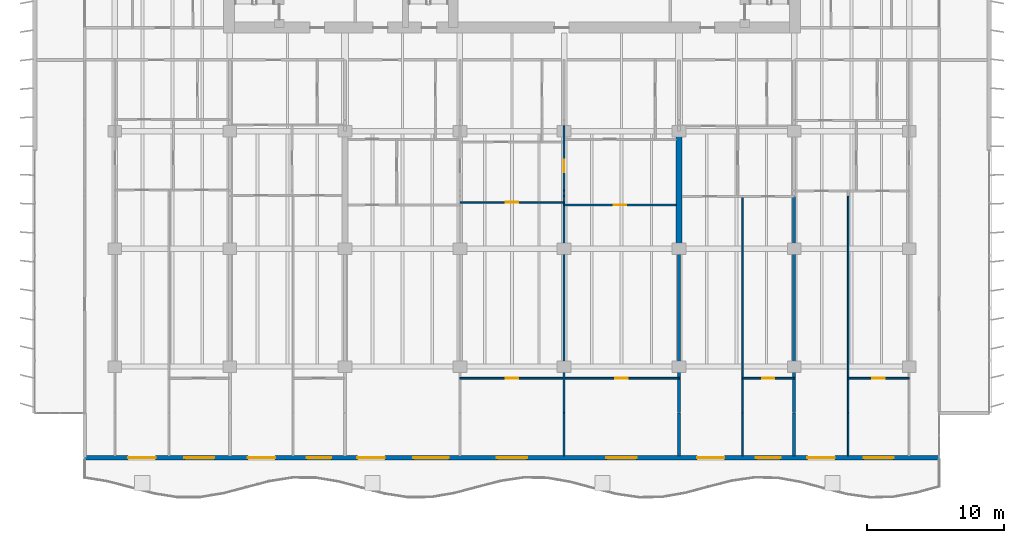
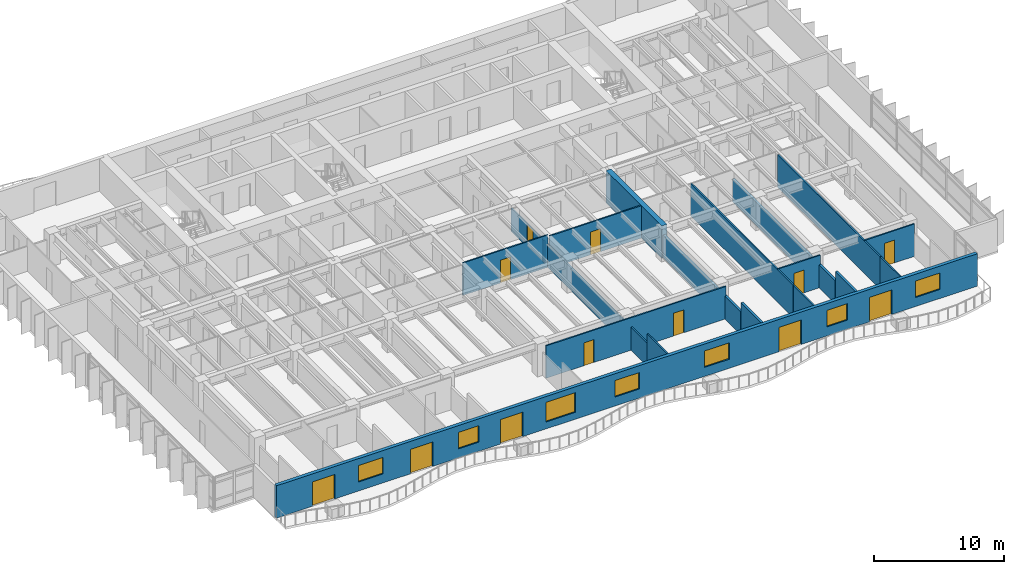
# One storey, part 8 of 17: 19 walls, 12 doors, 7 windows, 19 openings.
"""IFC4 building model written with IfcOpenShell, lengths in metres."""

from ifc_helpers import new_model, si_unit, direction, frame, frame_2d, origin, place, context, subcontext, project, spatial, rectangle, extrude, material, layer, layer_set, type_object, element, fill, save


model = new_model("IFC4")

# Units and contexts
model_context = context("Model", 3, precision=1e-05, world=origin(), true_north=direction((0.0, 1.0)))
body_context = subcontext(model_context, "Body", "Model", "MODEL_VIEW")
ifc_project = project(units=[si_unit("LENGTHUNIT", "METRE"), si_unit("AREAUNIT", "SQUARE_METRE"), si_unit("VOLUMEUNIT", "CUBIC_METRE"), si_unit("PLANEANGLEUNIT", "RADIAN"), si_unit("MASSUNIT", "GRAM", prefix="KILO")], contexts=[model_context])

# Site, building, storey
site_placement = place(None, origin())
site = spatial("IfcSite", under=ifc_project, at=site_placement, CompositionType="ELEMENT")
building_placement = place(site_placement, origin())
building = spatial("IfcBuilding", under=site, at=building_placement, Name="Caelmar Bay Residences", CompositionType="ELEMENT")
storey_placement = place(building_placement, frame((0.0, 0.0, 109.199951171875)))
storey = spatial("IfcBuildingStorey", under=building, at=storey_placement, Name="L29", CompositionType="ELEMENT", Elevation=109.199951171875)

# Wall
ifc_material_1 = material(Name="Concrete f'c 55 MPa (8,000 psi)", Category="concrete")
ifc_layer_1 = layer(ifc_material_1, 0.449951171875)
ifc_layer_set_1 = layer_set([ifc_layer_1], Name="Concrete f'c 55 MPa (8,000 psi)")
wall_type_1 = type_object("IfcWallType", Name="SW-XSLB-450", PredefinedType="SHEAR", material=ifc_layer_set_1)
wall_1_placement = place(storey_placement, frame((51.10009765625, 20.800048828125, 0.0), z_axis=(0.0, 0.0, 1.0), x_axis=(0.0, 1.0, 0.0)))
element("IfcWall", 1, at=wall_1_placement, inside=storey, type_object=wall_type_1, Name="L29 Transverse Cross-Slab Shear Wall E8", PredefinedType="SHEAR", context=body_context, shape_type="SweptSolid", body=[
    extrude(rectangle(XDim=8.599853515625, YDim=0.449951171875, at=frame_2d((4.2998046875, 0.0))), origin(), (0.0, 0.0, 1.0), 3.050048828125),
])

# Wall, openings, doors, windows
ifc_material_2 = material(Name="Precast concrete f'c 40 MPa (6,000 psi)", Category="concrete")
ifc_layer_2 = layer(ifc_material_2, 0.300048828125)
ifc_layer_set_2 = layer_set([ifc_layer_2], Name="Precast concrete f'c 40 MPa (6,000 psi)")
wall_type_2 = type_object("IfcWallType", Name="W-EXT-300", PredefinedType="STANDARD", material=ifc_layer_set_2)
wall_2_placement = place(storey_placement, frame((70.10009765625, 5.550048828125, 0.0), z_axis=(0.0, 0.0, 1.0), x_axis=(-1.0, 0.0, 0.0)))
wall_2 = element("IfcWall", 2, at=wall_2_placement, inside=storey, type_object=wall_type_2, Name="L29 South Bayfront Exterior Wall", PredefinedType="STANDARD", context=body_context, shape_type="SweptSolid", body=[
    extrude(rectangle(XDim=62.400146484375, YDim=0.300048828125, at=frame_2d((31.2001953125, 0.0))), origin(), (0.0, 0.0, 1.0), 3.050048828125),
])
opening_1_placement = place(wall_2_placement, frame((57.22607421875, 0.0, 0.0)))
opening_1 = element("IfcOpeningElement", 3, at=opening_1_placement, cuts=wall_2, Name="Opening L29-BD01", PredefinedType="OPENING", context=body_context, shape_type="SweptSolid", body=[
    extrude(rectangle(XDim=2.0, YDim=2.300048828125, at=frame_2d((1.0, 1.14990234375))), frame((0.0, 0.159912109375, 0.0), z_axis=(0.0, -1.0, 0.0), x_axis=(1.0, 0.0, 0.0)), (0.0, 0.0, 1.0), 0.320068359375),
])
opening_2_placement = place(wall_2_placement, frame((52.926025390625, 0.0, 0.85009765625)))
opening_2 = element("IfcOpeningElement", 4, at=opening_2_placement, cuts=wall_2, Name="Opening WN2", PredefinedType="OPENING", context=body_context, shape_type="SweptSolid", body=[
    extrude(rectangle(XDim=2.199951171875, YDim=1.550048828125, at=frame_2d((1.10009765625, 0.77490234375))), frame((0.0, 0.159912109375, 0.0), z_axis=(0.0, -1.0, 0.0), x_axis=(1.0, 0.0, 0.0)), (0.0, 0.0, 1.0), 0.320068359375),
])
opening_3_placement = place(wall_2_placement, frame((48.489990234375, 0.0, 0.0)))
opening_3 = element("IfcOpeningElement", 5, at=opening_3_placement, cuts=wall_2, Name="Opening L29-BD02", PredefinedType="OPENING", context=body_context, shape_type="SweptSolid", body=[
    extrude(rectangle(XDim=2.0, YDim=2.300048828125, at=frame_2d((1.0, 1.14990234375))), frame((0.0, 0.159912109375, 0.0), z_axis=(0.0, -1.0, 0.0), x_axis=(1.0, 0.0, 0.0)), (0.0, 0.0, 1.0), 0.320068359375),
])
opening_4_placement = place(wall_2_placement, frame((44.389892578125, 0.0, 0.85009765625)))
opening_4 = element("IfcOpeningElement", 6, at=opening_4_placement, cuts=wall_2, Name="Opening WN1", PredefinedType="OPENING", context=body_context, shape_type="SweptSolid", body=[
    extrude(rectangle(XDim=1.800048828125, YDim=1.550048828125, at=frame_2d((0.89990234375, 0.77490234375))), frame((0.0, 0.159912109375, 0.0), z_axis=(0.0, -1.0, 0.0), x_axis=(1.0, 0.0, 0.0)), (0.0, 0.0, 1.0), 0.320068359375),
])
opening_5_placement = place(wall_2_placement, frame((40.489990234375, 0.0, 0.0)))
opening_5 = element("IfcOpeningElement", 7, at=opening_5_placement, cuts=wall_2, Name="Opening L29-BD03", PredefinedType="OPENING", context=body_context, shape_type="SweptSolid", body=[
    extrude(rectangle(XDim=2.0, YDim=2.300048828125, at=frame_2d((1.0, 1.14990234375))), frame((0.0, 0.159912109375, 0.0), z_axis=(0.0, -1.0, 0.0), x_axis=(1.0, 0.0, 0.0)), (0.0, 0.0, 1.0), 0.320068359375),
])
opening_6_placement = place(wall_2_placement, frame((35.81005859375, 0.0, 0.64990234375)))
opening_6 = element("IfcOpeningElement", 8, at=opening_6_placement, cuts=wall_2, Name="Opening WN3", PredefinedType="OPENING", context=body_context, shape_type="SweptSolid", body=[
    extrude(rectangle(XDim=2.60009765625, YDim=1.85009765625, at=frame_2d((1.300048828125, 0.925048828125))), frame((0.0, 0.159912109375, 0.0), z_axis=(0.0, -1.0, 0.0), x_axis=(1.0, 0.0, 0.0)), (0.0, 0.0, 1.0), 0.320068359375),
])
opening_7_placement = place(wall_2_placement, frame((30.10009765625, 0.0, 0.85009765625)))
opening_7 = element("IfcOpeningElement", 9, at=opening_7_placement, cuts=wall_2, Name="Opening WN2", PredefinedType="OPENING", context=body_context, shape_type="SweptSolid", body=[
    extrude(rectangle(XDim=2.199951171875, YDim=1.550048828125, at=frame_2d((1.10009765625, 0.77490234375))), frame((0.0, 0.159912109375, 0.0), z_axis=(0.0, -1.0, 0.0), x_axis=(1.0, 0.0, 0.0)), (0.0, 0.0, 1.0), 0.320068359375),
])
opening_8_placement = place(wall_2_placement, frame((22.10009765625, 0.0, 0.85009765625)))
opening_8 = element("IfcOpeningElement", 10, at=opening_8_placement, cuts=wall_2, Name="Opening WN2", PredefinedType="OPENING", context=body_context, shape_type="SweptSolid", body=[
    extrude(rectangle(XDim=2.199951171875, YDim=1.550048828125, at=frame_2d((1.10009765625, 0.77490234375))), frame((0.0, 0.159912109375, 0.0), z_axis=(0.0, -1.0, 0.0), x_axis=(1.0, 0.0, 0.0)), (0.0, 0.0, 1.0), 0.320068359375),
])
opening_9_placement = place(wall_2_placement, frame((15.68994140625, 0.0, 0.0)))
opening_9 = element("IfcOpeningElement", 11, at=opening_9_placement, cuts=wall_2, Name="Opening L29-BD04", PredefinedType="OPENING", context=body_context, shape_type="SweptSolid", body=[
    extrude(rectangle(XDim=2.0, YDim=2.300048828125, at=frame_2d((1.0, 1.14990234375))), frame((0.0, 0.159912109375, 0.0), z_axis=(0.0, -1.0, 0.0), x_axis=(1.0, 0.0, 0.0)), (0.0, 0.0, 1.0), 0.320068359375),
])
opening_10_placement = place(wall_2_placement, frame((11.590087890625, 0.0, 0.85009765625)))
opening_10 = element("IfcOpeningElement", 12, at=opening_10_placement, cuts=wall_2, Name="Opening WN1", PredefinedType="OPENING", context=body_context, shape_type="SweptSolid", body=[
    extrude(rectangle(XDim=1.800048828125, YDim=1.550048828125, at=frame_2d((0.89990234375, 0.77490234375))), frame((0.0, 0.159912109375, 0.0), z_axis=(0.0, -1.0, 0.0), x_axis=(1.0, 0.0, 0.0)), (0.0, 0.0, 1.0), 0.320068359375),
])
opening_11_placement = place(wall_2_placement, frame((7.6259765625, 0.0, 0.0)))
opening_11 = element("IfcOpeningElement", 13, at=opening_11_placement, cuts=wall_2, Name="Opening L29-BD05", PredefinedType="OPENING", context=body_context, shape_type="SweptSolid", body=[
    extrude(rectangle(XDim=2.0, YDim=2.300048828125, at=frame_2d((1.0, 1.14990234375))), frame((0.0, 0.159912109375, 0.0), z_axis=(0.0, -1.0, 0.0), x_axis=(1.0, 0.0, 0.0)), (0.0, 0.0, 1.0), 0.320068359375),
])
opening_12_placement = place(wall_2_placement, frame((3.325927734375, 0.0, 0.85009765625)))
opening_12 = element("IfcOpeningElement", 14, at=opening_12_placement, cuts=wall_2, Name="Opening WN2", PredefinedType="OPENING", context=body_context, shape_type="SweptSolid", body=[
    extrude(rectangle(XDim=2.199951171875, YDim=1.550048828125, at=frame_2d((1.10009765625, 0.77490234375))), frame((0.0, 0.159912109375, 0.0), z_axis=(0.0, -1.0, 0.0), x_axis=(1.0, 0.0, 0.0)), (0.0, 0.0, 1.0), 0.320068359375),
])
ifc_material_3 = material(Name="Anodised bronze thermally broken sliding glass door", Category="glass")
ifc_layer_3 = layer(ifc_material_3, 0.050048828125)
ifc_layer_set_3 = layer_set([ifc_layer_3], Name="Anodised bronze thermally broken sliding glass door")
door_type_1 = type_object("IfcDoorType", Name="D-BAL-2000", OperationType="DOUBLE_DOOR_SLIDING", PredefinedType="DOOR", material=ifc_layer_set_3)
door_1_placement = place(opening_1_placement, origin())
door_1 = element("IfcDoor", 15, at=door_1_placement, inside=storey, type_object=door_type_1, Name="L29 Residence 01 Penthouse Living Salon Balcony Door", OperationType="DOUBLE_DOOR_SLIDING", OverallHeight=2.300048828125, OverallWidth=2.0, PredefinedType="DOOR", context=body_context, shape_type="SweptSolid", body=[
    extrude(rectangle(XDim=2.0, YDim=2.300048828125, at=frame_2d((1.0, 1.14990234375))), frame((0.0, 0.02490234375, 0.0), z_axis=(0.0, -1.0, 0.0), x_axis=(1.0, 0.0, 0.0)), (0.0, 0.0, 1.0), 0.050048828125),
])
fill(opening_1, door_1)
door_2_placement = place(opening_3_placement, origin())
door_2 = element("IfcDoor", 16, at=door_2_placement, inside=storey, type_object=door_type_1, Name="L29 Residence 02 Penthouse Living Salon Balcony Door", OperationType="DOUBLE_DOOR_SLIDING", OverallHeight=2.300048828125, OverallWidth=2.0, PredefinedType="DOOR", context=body_context, shape_type="SweptSolid", body=[
    extrude(rectangle(XDim=2.0, YDim=2.300048828125, at=frame_2d((1.0, 1.14990234375))), frame((0.0, 0.02490234375, 0.0), z_axis=(0.0, -1.0, 0.0), x_axis=(1.0, 0.0, 0.0)), (0.0, 0.0, 1.0), 0.050048828125),
])
fill(opening_3, door_2)
door_3_placement = place(opening_5_placement, origin())
door_3 = element("IfcDoor", 17, at=door_3_placement, inside=storey, type_object=door_type_1, Name="L29 Residence 03 Penthouse Living Salon Balcony Door", OperationType="DOUBLE_DOOR_SLIDING", OverallHeight=2.300048828125, OverallWidth=2.0, PredefinedType="DOOR", context=body_context, shape_type="SweptSolid", body=[
    extrude(rectangle(XDim=2.0, YDim=2.300048828125, at=frame_2d((1.0, 1.14990234375))), frame((0.0, 0.02490234375, 0.0), z_axis=(0.0, -1.0, 0.0), x_axis=(1.0, 0.0, 0.0)), (0.0, 0.0, 1.0), 0.050048828125),
])
fill(opening_5, door_3)
door_4_placement = place(opening_9_placement, origin())
door_4 = element("IfcDoor", 18, at=door_4_placement, inside=storey, type_object=door_type_1, Name="L29 Residence 04 Penthouse Living Salon Balcony Door", OperationType="DOUBLE_DOOR_SLIDING", OverallHeight=2.300048828125, OverallWidth=2.0, PredefinedType="DOOR", context=body_context, shape_type="SweptSolid", body=[
    extrude(rectangle(XDim=2.0, YDim=2.300048828125, at=frame_2d((1.0, 1.14990234375))), frame((0.0, 0.02490234375, 0.0), z_axis=(0.0, -1.0, 0.0), x_axis=(1.0, 0.0, 0.0)), (0.0, 0.0, 1.0), 0.050048828125),
])
fill(opening_9, door_4)
door_5_placement = place(opening_11_placement, origin())
door_5 = element("IfcDoor", 19, at=door_5_placement, inside=storey, type_object=door_type_1, Name="L29 Residence 05 Penthouse Living Salon Balcony Door", OperationType="DOUBLE_DOOR_SLIDING", OverallHeight=2.300048828125, OverallWidth=2.0, PredefinedType="DOOR", context=body_context, shape_type="SweptSolid", body=[
    extrude(rectangle(XDim=2.0, YDim=2.300048828125, at=frame_2d((1.0, 1.14990234375))), frame((0.0, 0.02490234375, 0.0), z_axis=(0.0, -1.0, 0.0), x_axis=(1.0, 0.0, 0.0)), (0.0, 0.0, 1.0), 0.050048828125),
])
fill(opening_11, door_5)
ifc_material_4 = material(Name="Bronze aluminium frame with laminated low-E glass", Category="aluminium")
ifc_layer_4 = layer(ifc_material_4, 0.06005859375)
ifc_layer_set_4 = layer_set([ifc_layer_4], Name="Bronze aluminium frame with laminated low-E glass")
window_type_1 = type_object("IfcWindowType", Name="WIN-BR-1800", PartitioningType="SINGLE_PANEL", PredefinedType="WINDOW", material=ifc_layer_set_4)
window_1_placement = place(opening_4_placement, origin())
window_1 = element("IfcWindow", 20, at=window_1_placement, inside=storey, type_object=window_type_1, Name="L29 Residence 02 Primary Bedroom Window", OverallHeight=1.550048828125, OverallWidth=1.800048828125, PartitioningType="SINGLE_PANEL", PredefinedType="WINDOW", context=body_context, shape_type="SweptSolid", body=[
    extrude(rectangle(XDim=1.800048828125, YDim=1.550048828125, at=frame_2d((0.89990234375, 0.77490234375))), frame((0.0, 0.030029296875, 0.0), z_axis=(0.0, -1.0, 0.0), x_axis=(1.0, 0.0, 0.0)), (0.0, 0.0, 1.0), 0.06005859375),
])
fill(opening_4, window_1)
window_2_placement = place(opening_10_placement, origin())
window_2 = element("IfcWindow", 21, at=window_2_placement, inside=storey, type_object=window_type_1, Name="L29 Residence 04 Primary Bedroom Window", OverallHeight=1.550048828125, OverallWidth=1.800048828125, PartitioningType="SINGLE_PANEL", PredefinedType="WINDOW", context=body_context, shape_type="SweptSolid", body=[
    extrude(rectangle(XDim=1.800048828125, YDim=1.550048828125, at=frame_2d((0.89990234375, 0.77490234375))), frame((0.0, 0.030029296875, 0.0), z_axis=(0.0, -1.0, 0.0), x_axis=(1.0, 0.0, 0.0)), (0.0, 0.0, 1.0), 0.06005859375),
])
fill(opening_10, window_2)
ifc_layer_5 = layer(ifc_material_4, 0.06005859375)
ifc_layer_set_5 = layer_set([ifc_layer_5], Name="Bronze aluminium frame with laminated low-E glass")
window_type_2 = type_object("IfcWindowType", Name="WIN-BR-2200", PartitioningType="SINGLE_PANEL", PredefinedType="WINDOW", material=ifc_layer_set_5)
window_3_placement = place(opening_2_placement, origin())
window_3 = element("IfcWindow", 22, at=window_3_placement, inside=storey, type_object=window_type_2, Name="L29 Residence 01 Primary Bedroom Window", OverallHeight=1.550048828125, OverallWidth=2.199951171875, PartitioningType="SINGLE_PANEL", PredefinedType="WINDOW", context=body_context, shape_type="SweptSolid", body=[
    extrude(rectangle(XDim=2.199951171875, YDim=1.550048828125, at=frame_2d((1.10009765625, 0.77490234375))), frame((0.0, 0.030029296875, 0.0), z_axis=(0.0, -1.0, 0.0), x_axis=(1.0, 0.0, 0.0)), (0.0, 0.0, 1.0), 0.06005859375),
])
fill(opening_2, window_3)
window_4_placement = place(opening_7_placement, origin())
window_4 = element("IfcWindow", 23, at=window_4_placement, inside=storey, type_object=window_type_2, Name="L29 Residence 03 Primary Bedroom 1 Window", OverallHeight=1.550048828125, OverallWidth=2.199951171875, PartitioningType="SINGLE_PANEL", PredefinedType="WINDOW", context=body_context, shape_type="SweptSolid", body=[
    extrude(rectangle(XDim=2.199951171875, YDim=1.550048828125, at=frame_2d((1.10009765625, 0.77490234375))), frame((0.0, 0.030029296875, 0.0), z_axis=(0.0, -1.0, 0.0), x_axis=(1.0, 0.0, 0.0)), (0.0, 0.0, 1.0), 0.06005859375),
])
fill(opening_7, window_4)
window_5_placement = place(opening_8_placement, origin())
window_5 = element("IfcWindow", 24, at=window_5_placement, inside=storey, type_object=window_type_2, Name="L29 Residence 03 Primary Bedroom 2 Window", OverallHeight=1.550048828125, OverallWidth=2.199951171875, PartitioningType="SINGLE_PANEL", PredefinedType="WINDOW", context=body_context, shape_type="SweptSolid", body=[
    extrude(rectangle(XDim=2.199951171875, YDim=1.550048828125, at=frame_2d((1.10009765625, 0.77490234375))), frame((0.0, 0.030029296875, 0.0), z_axis=(0.0, -1.0, 0.0), x_axis=(1.0, 0.0, 0.0)), (0.0, 0.0, 1.0), 0.06005859375),
])
fill(opening_8, window_5)
window_6_placement = place(opening_12_placement, origin())
window_6 = element("IfcWindow", 25, at=window_6_placement, inside=storey, type_object=window_type_2, Name="L29 Residence 05 Primary Bedroom Window", OverallHeight=1.550048828125, OverallWidth=2.199951171875, PartitioningType="SINGLE_PANEL", PredefinedType="WINDOW", context=body_context, shape_type="SweptSolid", body=[
    extrude(rectangle(XDim=2.199951171875, YDim=1.550048828125, at=frame_2d((1.10009765625, 0.77490234375))), frame((0.0, 0.030029296875, 0.0), z_axis=(0.0, -1.0, 0.0), x_axis=(1.0, 0.0, 0.0)), (0.0, 0.0, 1.0), 0.06005859375),
])
fill(opening_12, window_6)
ifc_layer_6 = layer(ifc_material_4, 0.06005859375)
ifc_layer_set_6 = layer_set([ifc_layer_6], Name="Bronze aluminium frame with laminated low-E glass")
window_type_3 = type_object("IfcWindowType", Name="WIN-LIV-2600", PartitioningType="SINGLE_PANEL", PredefinedType="WINDOW", material=ifc_layer_set_6)
window_7_placement = place(opening_6_placement, origin())
window_7 = element("IfcWindow", 26, at=window_7_placement, inside=storey, type_object=window_type_3, Name="L29 Residence 03 Penthouse Living Salon Panoramic Window", OverallHeight=1.85009765625, OverallWidth=2.60009765625, PartitioningType="SINGLE_PANEL", PredefinedType="WINDOW", context=body_context, shape_type="SweptSolid", body=[
    extrude(rectangle(XDim=2.60009765625, YDim=1.85009765625, at=frame_2d((1.300048828125, 0.925048828125))), frame((0.0, 0.030029296875, 0.0), z_axis=(0.0, -1.0, 0.0), x_axis=(1.0, 0.0, 0.0)), (0.0, 0.0, 1.0), 0.06005859375),
])
fill(opening_6, window_7)

# Walls
ifc_material_5 = material(Name="Acoustic metal-stud gypsum partition 120 mm")
ifc_layer_7 = layer(ifc_material_5, 0.1201171875)
ifc_layer_set_7 = layer_set([ifc_layer_7], Name="Acoustic metal-stud gypsum partition 120 mm")
wall_type_3 = type_object("IfcWallType", Name="W-PRT-120", PredefinedType="PARTITIONING", material=ifc_layer_set_7)
wall_3_placement = place(storey_placement, frame((42.699951171875, 5.695068359375, 0.0), z_axis=(0.0, 0.0, 1.0), x_axis=(0.0, 1.0, 0.0)))
element("IfcWall", 27, at=wall_3_placement, inside=storey, type_object=wall_type_3, Name="L29 Partition Wall V063", PredefinedType="PARTITIONING", context=body_context, shape_type="SweptSolid", body=[
    extrude(rectangle(XDim=3.10498046875, YDim=0.1201171875, at=frame_2d((1.552490234375, 0.0))), origin(), (0.0, 0.0, 1.0), 3.050048828125),
])
wall_4_placement = place(storey_placement, frame((42.699951171875, 8.840087890625, 0.0), z_axis=(0.0, 0.0, 1.0), x_axis=(0.0, 1.0, 0.0)))
element("IfcWall", 28, at=wall_4_placement, inside=storey, type_object=wall_type_3, Name="L29 Partition Wall V064", PredefinedType="PARTITIONING", context=body_context, shape_type="SweptSolid", body=[
    extrude(rectangle(XDim=15.789794921875, YDim=0.1201171875, at=frame_2d((7.89501953125, 0.0))), origin(), (0.0, 0.0, 1.0), 2.174072265625),
])
wall_5_placement = place(storey_placement, frame((42.699951171875, 24.68994140625, 0.0), z_axis=(0.0, 0.0, 1.0), x_axis=(0.0, 1.0, 0.0)))
element("IfcWall", 29, at=wall_5_placement, inside=storey, type_object=wall_type_3, Name="L29 Partition Wall V065", PredefinedType="PARTITIONING", context=body_context, shape_type="SweptSolid", body=[
    extrude(rectangle(XDim=0.340087890625, YDim=0.1201171875, at=frame_2d((0.169921875, 0.0))), origin(), (0.0, 0.0, 1.0), 2.174072265625),
])

# Wall, opening, door
wall_6_placement = place(storey_placement, frame((42.699951171875, 25.090087890625, 0.0), z_axis=(0.0, 0.0, 1.0), x_axis=(0.0, 1.0, 0.0)))
wall_6 = element("IfcWall", 30, at=wall_6_placement, inside=storey, type_object=wall_type_3, Name="L29 Partition Wall V066", PredefinedType="PARTITIONING", context=body_context, shape_type="SweptSolid", body=[
    extrude(rectangle(XDim=4.68994140625, YDim=0.1201171875, at=frame_2d((2.344970703125, 0.0))), origin(), (0.0, 0.0, 1.0), 2.174072265625),
])
opening_13_placement = place(wall_6_placement, frame((1.304931640625, 0.0, 0.0)))
opening_13 = element("IfcOpeningElement", 31, at=opening_13_placement, cuts=wall_6, Name="Opening D-L29-149", PredefinedType="OPENING", context=body_context, shape_type="SweptSolid", body=[
    extrude(rectangle(XDim=0.89990234375, YDim=2.1240234375, at=frame_2d((0.449951171875, 1.06201171875))), frame((0.0, 0.070068359375, 0.0), z_axis=(0.0, -1.0, 0.0), x_axis=(1.0, 0.0, 0.0)), (0.0, 0.0, 1.0), 0.14013671875),
])
ifc_material_6 = material(Name="Solid walnut timber interior door leaf and frame", Category="wood")
ifc_layer_8 = layer(ifc_material_6, 0.050048828125)
ifc_layer_set_8 = layer_set([ifc_layer_8], Name="Solid walnut timber interior door leaf and frame")
door_type_2 = type_object("IfcDoorType", Name="D-ROOM-900", OperationType="NOTDEFINED", PredefinedType="DOOR", material=ifc_layer_set_8)
door_6_placement = place(opening_13_placement, origin())
door_6 = element("IfcDoor", 32, at=door_6_placement, inside=storey, type_object=door_type_2, Name="L29 Residence 03 Formal Dining Room 2 Door", OperationType="SINGLE_SWING_LEFT", OverallHeight=2.1240234375, OverallWidth=0.89990234375, PredefinedType="DOOR", context=body_context, shape_type="SweptSolid", body=[
    extrude(rectangle(XDim=0.89990234375, YDim=2.1240234375, at=frame_2d((0.449951171875, 1.06201171875))), frame((0.0, 0.02490234375, 0.0), z_axis=(0.0, -1.0, 0.0), x_axis=(1.0, 0.0, 0.0)), (0.0, 0.0, 1.0), 0.050048828125),
])
fill(opening_13, door_6)

# Walls
wall_7_placement = place(storey_placement, frame((55.719970703125, 5.695068359375, 0.0), z_axis=(0.0, 0.0, 1.0), x_axis=(0.0, 1.0, 0.0)))
element("IfcWall", 33, at=wall_7_placement, inside=storey, type_object=wall_type_3, Name="L29 Partition Wall V087", PredefinedType="PARTITIONING", context=body_context, shape_type="SweptSolid", body=[
    extrude(rectangle(XDim=3.10498046875, YDim=0.1201171875, at=frame_2d((1.552490234375, 0.0))), origin(), (0.0, 0.0, 1.0), 3.050048828125),
])
wall_8_placement = place(storey_placement, frame((55.719970703125, 8.840087890625, 0.0), z_axis=(0.0, 0.0, 1.0), x_axis=(0.0, 1.0, 0.0)))
element("IfcWall", 34, at=wall_8_placement, inside=storey, type_object=wall_type_3, Name="L29 Partition Wall V088", PredefinedType="PARTITIONING", context=body_context, shape_type="SweptSolid", body=[
    extrude(rectangle(XDim=15.789794921875, YDim=0.1201171875, at=frame_2d((7.89501953125, 0.0))), origin(), (0.0, 0.0, 1.0), 3.050048828125),
])
wall_9_placement = place(storey_placement, frame((63.447998046875, 5.695068359375, 0.0), z_axis=(0.0, 0.0, 1.0), x_axis=(0.0, 1.0, 0.0)))
element("IfcWall", 35, at=wall_9_placement, inside=storey, type_object=wall_type_3, Name="L29 Partition Wall V099", PredefinedType="PARTITIONING", context=body_context, shape_type="SweptSolid", body=[
    extrude(rectangle(XDim=3.10498046875, YDim=0.1201171875, at=frame_2d((1.552490234375, 0.0))), origin(), (0.0, 0.0, 1.0), 3.050048828125),
])
wall_10_placement = place(storey_placement, frame((63.447998046875, 8.840087890625, 0.0), z_axis=(0.0, 0.0, 1.0), x_axis=(0.0, 1.0, 0.0)))
element("IfcWall", 36, at=wall_10_placement, inside=storey, type_object=wall_type_3, Name="L29 Partition Wall V100", PredefinedType="PARTITIONING", context=body_context, shape_type="SweptSolid", body=[
    extrude(rectangle(XDim=15.789794921875, YDim=0.1201171875, at=frame_2d((7.89501953125, 0.0))), origin(), (0.0, 0.0, 1.0), 3.050048828125),
])

# Wall, openings, doors
wall_11_placement = place(storey_placement, frame((35.10009765625, 11.35009765625, 0.0), z_axis=(0.0, 0.0, 1.0), x_axis=(1.0, 0.0, 0.0)))
wall_11 = element("IfcWall", 37, at=wall_11_placement, inside=storey, type_object=wall_type_3, Name="L29 Partition Wall H122", PredefinedType="PARTITIONING", context=body_context, shape_type="SweptSolid", body=[
    extrude(rectangle(XDim=16.0, YDim=0.1201171875, at=frame_2d((8.0, 0.0))), origin(), (0.0, 0.0, 1.0), 3.050048828125),
])
opening_14_placement = place(wall_11_placement, frame((3.35009765625, 0.0, 0.0)))
opening_14 = element("IfcOpeningElement", 38, at=opening_14_placement, cuts=wall_11, Name="Opening D-L29-148", PredefinedType="OPENING", context=body_context, shape_type="SweptSolid", body=[
    extrude(rectangle(XDim=0.89990234375, YDim=2.14990234375, at=frame_2d((0.449951171875, 1.074951171875))), frame((0.0, 0.070068359375, 0.0), z_axis=(0.0, -1.0, 0.0), x_axis=(1.0, 0.0, 0.0)), (0.0, 0.0, 1.0), 0.14013671875),
])
opening_15_placement = place(wall_11_placement, frame((11.35009765625, 0.0, 0.0)))
opening_15 = element("IfcOpeningElement", 39, at=opening_15_placement, cuts=wall_11, Name="Opening D-L29-153", PredefinedType="OPENING", context=body_context, shape_type="SweptSolid", body=[
    extrude(rectangle(XDim=0.89990234375, YDim=2.14990234375, at=frame_2d((0.449951171875, 1.074951171875))), frame((0.0, 0.070068359375, 0.0), z_axis=(0.0, -1.0, 0.0), x_axis=(1.0, 0.0, 0.0)), (0.0, 0.0, 1.0), 0.14013671875),
])
door_7_placement = place(opening_14_placement, origin())
door_7 = element("IfcDoor", 40, at=door_7_placement, inside=storey, type_object=door_type_2, Name="L29 Residence 03 Primary Bedroom 1 Door", OperationType="SINGLE_SWING_RIGHT", OverallHeight=2.14990234375, OverallWidth=0.89990234375, PredefinedType="DOOR", context=body_context, shape_type="SweptSolid", body=[
    extrude(rectangle(XDim=0.89990234375, YDim=2.14990234375, at=frame_2d((0.449951171875, 1.074951171875))), frame((0.0, 0.02490234375, 0.0), z_axis=(0.0, -1.0, 0.0), x_axis=(1.0, 0.0, 0.0)), (0.0, 0.0, 1.0), 0.050048828125),
])
fill(opening_14, door_7)
door_8_placement = place(opening_15_placement, origin())
door_8 = element("IfcDoor", 41, at=door_8_placement, inside=storey, type_object=door_type_2, Name="L29 Residence 03 Primary Bedroom 2 Door", OperationType="SINGLE_SWING_LEFT", OverallHeight=2.14990234375, OverallWidth=0.89990234375, PredefinedType="DOOR", context=body_context, shape_type="SweptSolid", body=[
    extrude(rectangle(XDim=0.89990234375, YDim=2.14990234375, at=frame_2d((0.449951171875, 1.074951171875))), frame((0.0, 0.02490234375, 0.0), z_axis=(0.0, -1.0, 0.0), x_axis=(1.0, 0.0, 0.0)), (0.0, 0.0, 1.0), 0.050048828125),
])
fill(opening_15, door_8)

# Wall, opening, door
wall_12_placement = place(storey_placement, frame((55.719970703125, 11.35009765625, 0.0), z_axis=(0.0, 0.0, 1.0), x_axis=(1.0, 0.0, 0.0)))
wall_12 = element("IfcWall", 42, at=wall_12_placement, inside=storey, type_object=wall_type_3, Name="L29 Partition Wall H123", PredefinedType="PARTITIONING", context=body_context, shape_type="SweptSolid", body=[
    extrude(rectangle(XDim=3.780029296875, YDim=0.1201171875, at=frame_2d((1.89013671875, 0.0))), origin(), (0.0, 0.0, 1.0), 3.050048828125),
])
opening_16_placement = place(wall_12_placement, frame((1.43994140625, 0.0, 0.0)))
opening_16 = element("IfcOpeningElement", 43, at=opening_16_placement, cuts=wall_12, Name="Opening D-L29-160", PredefinedType="OPENING", context=body_context, shape_type="SweptSolid", body=[
    extrude(rectangle(XDim=0.89990234375, YDim=2.14990234375, at=frame_2d((0.449951171875, 1.074951171875))), frame((0.0, 0.070068359375, 0.0), z_axis=(0.0, -1.0, 0.0), x_axis=(1.0, 0.0, 0.0)), (0.0, 0.0, 1.0), 0.14013671875),
])
door_9_placement = place(opening_16_placement, origin())
door_9 = element("IfcDoor", 44, at=door_9_placement, inside=storey, type_object=door_type_2, Name="L29 Residence 04 Primary Bedroom Door", OperationType="SINGLE_SWING_RIGHT", OverallHeight=2.14990234375, OverallWidth=0.89990234375, PredefinedType="DOOR", context=body_context, shape_type="SweptSolid", body=[
    extrude(rectangle(XDim=0.89990234375, YDim=2.14990234375, at=frame_2d((0.449951171875, 1.074951171875))), frame((0.0, 0.02490234375, 0.0), z_axis=(0.0, -1.0, 0.0), x_axis=(1.0, 0.0, 0.0)), (0.0, 0.0, 1.0), 0.050048828125),
])
fill(opening_16, door_9)

wall_13_placement = place(storey_placement, frame((63.447998046875, 11.35009765625, 0.0), z_axis=(0.0, 0.0, 1.0), x_axis=(1.0, 0.0, 0.0)))
wall_13 = element("IfcWall", 45, at=wall_13_placement, inside=storey, type_object=wall_type_3, Name="L29 Partition Wall H124", PredefinedType="PARTITIONING", context=body_context, shape_type="SweptSolid", body=[
    extrude(rectangle(XDim=4.451904296875, YDim=0.1201171875, at=frame_2d((2.22607421875, 0.0))), origin(), (0.0, 0.0, 1.0), 3.050048828125),
])
opening_17_placement = place(wall_13_placement, frame((1.77587890625, 0.0, 0.0)))
opening_17 = element("IfcOpeningElement", 46, at=opening_17_placement, cuts=wall_13, Name="Opening D-L29-167", PredefinedType="OPENING", context=body_context, shape_type="SweptSolid", body=[
    extrude(rectangle(XDim=0.89990234375, YDim=2.14990234375, at=frame_2d((0.449951171875, 1.074951171875))), frame((0.0, 0.070068359375, 0.0), z_axis=(0.0, -1.0, 0.0), x_axis=(1.0, 0.0, 0.0)), (0.0, 0.0, 1.0), 0.14013671875),
])
door_10_placement = place(opening_17_placement, origin())
door_10 = element("IfcDoor", 47, at=door_10_placement, inside=storey, type_object=door_type_2, Name="L29 Residence 05 Primary Bedroom Door", OperationType="SINGLE_SWING_LEFT", OverallHeight=2.14990234375, OverallWidth=0.89990234375, PredefinedType="DOOR", context=body_context, shape_type="SweptSolid", body=[
    extrude(rectangle(XDim=0.89990234375, YDim=2.14990234375, at=frame_2d((0.449951171875, 1.074951171875))), frame((0.0, 0.02490234375, 0.0), z_axis=(0.0, -1.0, 0.0), x_axis=(1.0, 0.0, 0.0)), (0.0, 0.0, 1.0), 0.050048828125),
])
fill(opening_17, door_10)

wall_14_placement = place(storey_placement, frame((42.699951171875, 24.0, 0.0), z_axis=(0.0, 0.0, 1.0), x_axis=(1.0, 0.0, 0.0)))
wall_14 = element("IfcWall", 48, at=wall_14_placement, inside=storey, type_object=wall_type_3, Name="L29 Partition Wall H126", PredefinedType="PARTITIONING", context=body_context, shape_type="SweptSolid", body=[
    extrude(rectangle(XDim=8.179931640625, YDim=0.1201171875, at=frame_2d((4.08984375, 0.0))), origin(), (0.0, 0.0, 1.0), 3.050048828125),
])
opening_18_placement = place(wall_14_placement, frame((3.639892578125, 0.0, 0.0)))
opening_18 = element("IfcOpeningElement", 49, at=opening_18_placement, cuts=wall_14, Name="Opening D-L29-152", PredefinedType="OPENING", context=body_context, shape_type="SweptSolid", body=[
    extrude(rectangle(XDim=0.89990234375, YDim=2.14990234375, at=frame_2d((0.449951171875, 1.074951171875))), frame((0.0, 0.070068359375, 0.0), z_axis=(0.0, -1.0, 0.0), x_axis=(1.0, 0.0, 0.0)), (0.0, 0.0, 1.0), 0.14013671875),
])
door_11_placement = place(opening_18_placement, origin())
door_11 = element("IfcDoor", 50, at=door_11_placement, inside=storey, type_object=door_type_2, Name="L29 Residence 03 Penthouse Sitting Salon 2 Door", OperationType="SINGLE_SWING_RIGHT", OverallHeight=2.14990234375, OverallWidth=0.89990234375, PredefinedType="DOOR", context=body_context, shape_type="SweptSolid", body=[
    extrude(rectangle(XDim=0.89990234375, YDim=2.14990234375, at=frame_2d((0.449951171875, 1.074951171875))), frame((0.0, 0.02490234375, 0.0), z_axis=(0.0, -1.0, 0.0), x_axis=(1.0, 0.0, 0.0)), (0.0, 0.0, 1.0), 0.050048828125),
])
fill(opening_18, door_11)

wall_15_placement = place(storey_placement, frame((35.10498046875, 24.199951171875, 0.0), z_axis=(0.0, 0.0, 1.0), x_axis=(1.0, 0.0, 0.0)))
wall_15 = element("IfcWall", 51, at=wall_15_placement, inside=storey, type_object=wall_type_3, Name="L29 Partition Wall H127", PredefinedType="PARTITIONING", context=body_context, shape_type="SweptSolid", body=[
    extrude(rectangle(XDim=7.590087890625, YDim=0.1201171875, at=frame_2d((3.794921875, 0.0))), origin(), (0.0, 0.0, 1.0), 3.050048828125),
])
opening_19_placement = place(wall_15_placement, frame((3.344970703125, 0.0, 0.0)))
opening_19 = element("IfcOpeningElement", 52, at=opening_19_placement, cuts=wall_15, Name="Opening D-L29-147", PredefinedType="OPENING", context=body_context, shape_type="SweptSolid", body=[
    extrude(rectangle(XDim=0.89990234375, YDim=2.14990234375, at=frame_2d((0.449951171875, 1.074951171875))), frame((0.0, 0.070068359375, 0.0), z_axis=(0.0, -1.0, 0.0), x_axis=(1.0, 0.0, 0.0)), (0.0, 0.0, 1.0), 0.14013671875),
])
door_12_placement = place(opening_19_placement, origin())
door_12 = element("IfcDoor", 53, at=door_12_placement, inside=storey, type_object=door_type_2, Name="L29 Residence 03 Penthouse Sitting Salon 1 Door", OperationType="SINGLE_SWING_LEFT", OverallHeight=2.14990234375, OverallWidth=0.89990234375, PredefinedType="DOOR", context=body_context, shape_type="SweptSolid", body=[
    extrude(rectangle(XDim=0.89990234375, YDim=2.14990234375, at=frame_2d((0.449951171875, 1.074951171875))), frame((0.0, 0.02490234375, 0.0), z_axis=(0.0, -1.0, 0.0), x_axis=(1.0, 0.0, 0.0)), (0.0, 0.0, 1.0), 0.050048828125),
])
fill(opening_19, door_12)

# Walls
ifc_material_7 = material(Name="Acoustic twin-stud fire-rated inter-tenancy partition 200 mm")
ifc_layer_9 = layer(ifc_material_7, 0.199951171875)
ifc_layer_set_9 = layer_set([ifc_layer_9], Name="Acoustic twin-stud fire-rated inter-tenancy partition 200 mm")
wall_type_4 = type_object("IfcWallType", Name="W-PTY-200", PredefinedType="PARTITIONING", material=ifc_layer_set_9)
wall_16_placement = place(storey_placement, frame((51.10009765625, 5.695068359375, 0.0), z_axis=(0.0, 0.0, 1.0), x_axis=(0.0, 1.0, 0.0)))
element("IfcWall", 54, at=wall_16_placement, inside=storey, type_object=wall_type_4, Name="L29 Partition Wall V078", PredefinedType="PARTITIONING", context=body_context, shape_type="SweptSolid", body=[
    extrude(rectangle(XDim=3.10498046875, YDim=0.199951171875, at=frame_2d((1.552490234375, 0.0))), origin(), (0.0, 0.0, 1.0), 3.050048828125),
])
wall_17_placement = place(storey_placement, frame((51.10009765625, 8.840087890625, 0.0), z_axis=(0.0, 0.0, 1.0), x_axis=(0.0, 1.0, 0.0)))
element("IfcWall", 55, at=wall_17_placement, inside=storey, type_object=wall_type_4, Name="L29 Partition Wall V079", PredefinedType="PARTITIONING", context=body_context, shape_type="SweptSolid", body=[
    extrude(rectangle(XDim=11.954833984375, YDim=0.199951171875, at=frame_2d((5.9775390625, 0.0))), origin(), (0.0, 0.0, 1.0), 2.174072265625),
])
wall_18_placement = place(storey_placement, frame((59.5, 5.695068359375, 0.0), z_axis=(0.0, 0.0, 1.0), x_axis=(0.0, 1.0, 0.0)))
element("IfcWall", 56, at=wall_18_placement, inside=storey, type_object=wall_type_4, Name="L29 Partition Wall V092", PredefinedType="PARTITIONING", context=body_context, shape_type="SweptSolid", body=[
    extrude(rectangle(XDim=3.10498046875, YDim=0.199951171875, at=frame_2d((1.552490234375, 0.0))), origin(), (0.0, 0.0, 1.0), 3.050048828125),
])
wall_19_placement = place(storey_placement, frame((59.5, 8.840087890625, 0.0), z_axis=(0.0, 0.0, 1.0), x_axis=(0.0, 1.0, 0.0)))
element("IfcWall", 57, at=wall_19_placement, inside=storey, type_object=wall_type_4, Name="L29 Partition Wall V093", PredefinedType="PARTITIONING", context=body_context, shape_type="SweptSolid", body=[
    extrude(rectangle(XDim=15.789794921875, YDim=0.199951171875, at=frame_2d((7.89501953125, 0.0))), origin(), (0.0, 0.0, 1.0), 2.174072265625),
])

save(model, "model.ifc")
